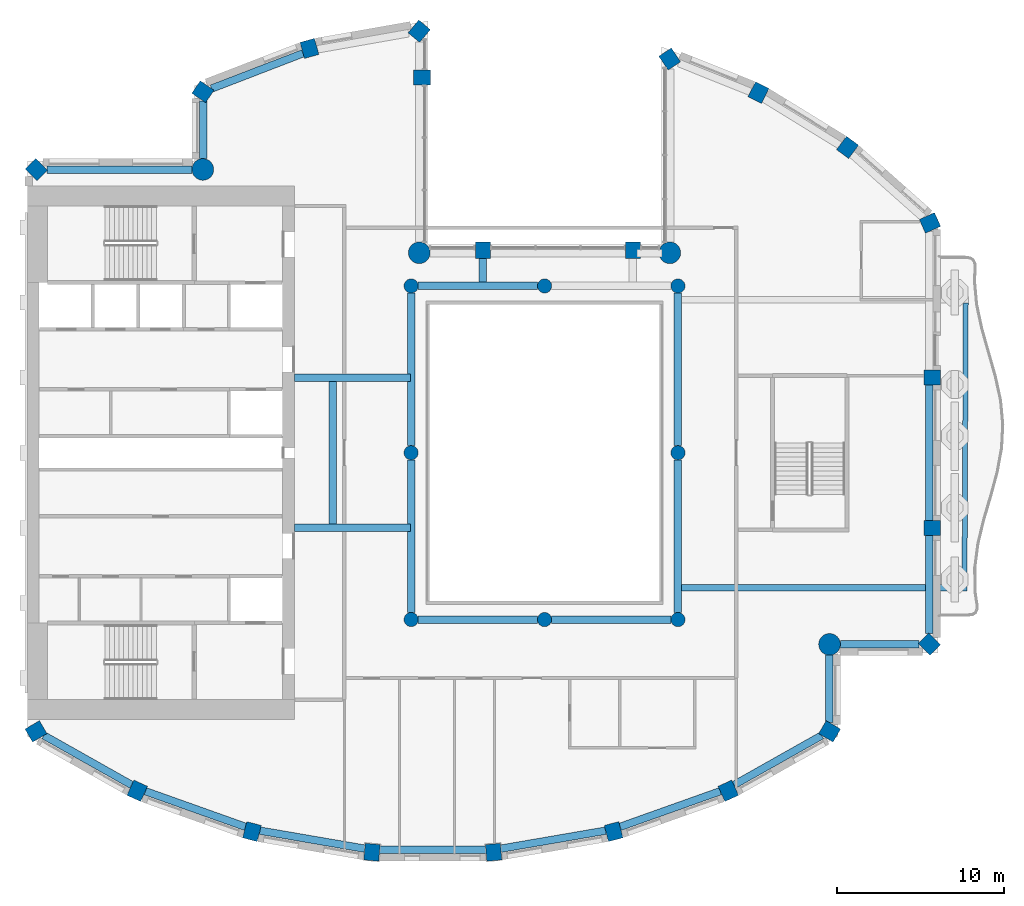
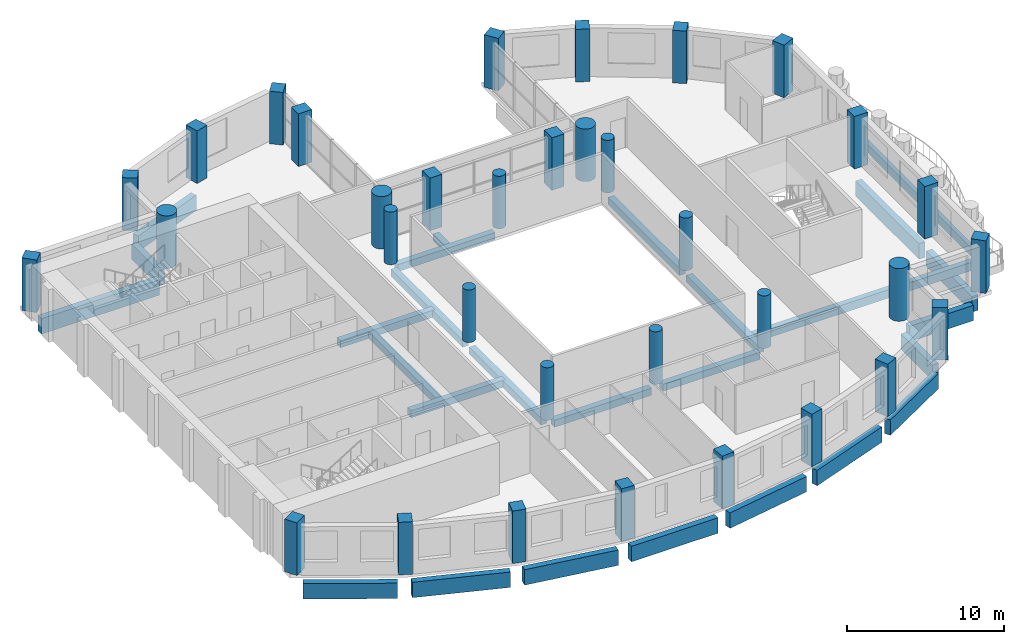
# One storey, part 1 of 14: 34 columns, 27 beams.
"""IFC4 building model written with IfcOpenShell, lengths in metres."""

from ifc_helpers import new_model, si_unit, direction, frame, origin, origin_2d, place, context, subcontext, project, spatial, rectangle, circle, extrude, material, material_profile, profile_set, type_object, element, save


model = new_model("IFC4")

# Units and contexts
model_context = context("Model", 3, precision=1e-05, world=origin(), true_north=direction((0.0, 1.0)))
body_context = subcontext(model_context, "Body", "Model", "MODEL_VIEW")
ifc_project = project(units=[si_unit("LENGTHUNIT", "METRE"), si_unit("AREAUNIT", "SQUARE_METRE"), si_unit("VOLUMEUNIT", "CUBIC_METRE"), si_unit("PLANEANGLEUNIT", "RADIAN"), si_unit("MASSUNIT", "GRAM", prefix="KILO")], contexts=[model_context])

# Site, building, storey
site_placement = place(None, origin())
site = spatial("IfcSite", under=ifc_project, at=site_placement, CompositionType="ELEMENT")
building_placement = place(site_placement, origin())
building = spatial("IfcBuilding", under=site, at=building_placement, Name="Cypress Arch Tower", CompositionType="ELEMENT")
storey_placement = place(building_placement, frame((0.0, 0.0, 255.699951171875)))
storey = spatial("IfcBuildingStorey", under=building, at=storey_placement, Name="L57", CompositionType="ELEMENT", Elevation=255.699951171875)

# Columns
ifc_material_1 = material(Name="Concrete C60/75", Category="concrete")
ifc_material_profile_1 = material_profile(ifc_material_1, rectangle(XDim=0.89990234375, YDim=1.0, at=origin_2d()), Name="RC 900x1000")
ifc_profile_set_1 = profile_set([ifc_material_profile_1], Name="Concrete C60/75")
column_type_1 = type_object("IfcColumnType", Name="Column RC 900x1000 Concrete C60/75", PredefinedType="COLUMN", material=ifc_profile_set_1)
for number, where, z_axis, x_axis, name in (
    (1, (8.5029296875, 23.606201171875, 0.0), (0.0, 0.0, 1.0), (-0.828469606019, -0.560034027451, 0.0), "Column L57 CC00"),
    (2, (6.300048828125, 12.14990234375, 0.0), (0.0, 0.0, 1.0), (-1.0, 0.0, 0.0), "Column L57 CC02"),
    (3, (-2.699951171875, 12.14990234375, 0.0), (0.0, 0.0, 1.0), (-1.0, 0.0, 0.0), "Column L57 CC03"),
    (4, (-6.35009765625, 22.5, 0.0), (0.0, 0.0, 1.0), (0.0, 1.0, 0.0), "Column L57 CC05"),
    (5, (-6.51611328125, 25.27490234375, 0.0), (0.0, 0.0, 1.0), (-0.766063514674, 0.642764880407, 0.0), "Column L57 CC06"),
    (6, (-13.0947265625, 24.241455078125, 0.0), (0.0, 0.0, 1.0), (-0.96345574646, -0.267867550506, 0.0), "Column L57 CC07"),
    (7, (-19.483154296875, 21.645263671875, 0.0), (0.0, 0.0, 1.0), (-0.565892599589, -0.824478966215, 0.0), "Column L57 CC08"),
    (8, (-29.478271484375, 16.978271484375, 0.0), (0.0, 0.0, 1.0), (-0.707106781187, -0.707106781187, 0.0), "Column L57 CC10"),
    (9, (-29.4912109375, -16.702880859375, 0.0), (0.0, 0.0, 1.0), (0.504399289829, -0.86347053014, 0.0), "Column L57 CC11"),
    (10, (-23.4189453125, -20.266845703125, 0.0), (0.0, 0.0, 1.0), (0.909932071487, -0.414757308891, 0.0), "Column L57 CC12"),
    (11, (-16.541748046875, -22.714599609375, 0.0), (0.0, 0.0, 1.0), (0.96735573689, -0.2534223319, 0.0), "Column L57 CC13"),
    (12, (-9.346923828125, -23.95361328125, 0.0), (0.0, 0.0, 1.0), (0.996368206733, -0.085149260784, 0.0), "Column L57 CC14"),
    (13, (-2.052978515625, -23.95361328125, 0.0), (0.0, 0.0, 1.0), (0.996368206733, 0.085149260784, 0.0), "Column L57 CC15"),
    (14, (5.1416015625, -22.714599609375, 0.0), (0.0, 0.0, 1.0), (0.96735573689, 0.2534223319, 0.0), "Column L57 CC16"),
    (15, (12.01904296875, -20.266845703125, 0.0), (0.0, 0.0, 1.0), (0.909932071487, 0.414757308891, 0.0), "Column L57 CC17"),
    (16, (18.09130859375, -16.702880859375, 0.0), (0.0, 0.0, 1.0), (0.504399289829, 0.86347053014, 0.0), "Column L57 CC18"),
    (17, (24.078369140625, -11.478271484375, 0.0), (0.0, 0.0, 1.0), (0.707106781187, 0.707106781187, 0.0), "Column L57 CC20"),
    (18, (24.25, -4.5, 0.0), (0.0, 0.0, 1.0), (0.0, 1.0, 0.0), "Column L57 CC21"),
    (19, (24.25, 4.5, 0.0), (0.0, 0.0, 1.0), (0.0, 1.0, 0.0), "Column L57 CC22"),
    (20, (24.109619140625, 13.77978515625, 0.0), (0.0, 0.0, 1.0), (-0.409765058504, 0.912191096662, 0.0), "Column L57 CC23"),
    (21, (19.168212890625, 18.307861328125, 0.0), (0.0, 0.0, 1.0), (-0.802798546114, 0.596250362144, 0.0), "Column L57 CC24"),
    (22, (13.82568359375, 21.59375, 0.0), (0.0, 0.0, 1.0), (-0.893106499805, 0.44984528452, 0.0), "Column L57 CC25"),
):
    element("IfcColumn", number, at=place(storey_placement, frame(where, z_axis=z_axis, x_axis=x_axis)), inside=storey, type_object=column_type_1, Name=name, PredefinedType="COLUMN", context=body_context, shape_type="SweptSolid", body=[
        extrude(rectangle(XDim=0.89990234375, YDim=1.0, at=origin_2d()), origin(), (0.0, 0.0, 1.0), 4.10009765625),
    ])
ifc_material_2 = material(Name="Concrete C60/75", Category="concrete")
ifc_material_profile_2 = material_profile(ifc_material_2, circle(Radius=0.425048828125, at=origin_2d()), Name="RC D850")
ifc_profile_set_2 = profile_set([ifc_material_profile_2], Name="Concrete C60/75")
column_type_2 = type_object("IfcColumnType", Name="Column RC D850 Concrete C60/75", PredefinedType="COLUMN", material=ifc_profile_set_2)
for number, where, z_axis, x_axis, name in (
    (23, (-7.0, -10.0, 0.0), (0.0, 0.0, 1.0), (1.0, 0.0, 0.0), "Column L57 RNG-L57-G-7-10"),
    (24, (-7.0, 0.0, 0.0), (0.0, 0.0, 1.0), (1.0, 0.0, 0.0), "Column L57 RNG-L57-G-7+0"),
    (25, (-7.0, 10.0, 0.0), (0.0, 0.0, 1.0), (1.0, 0.0, 0.0), "Column L57 RNG-L57-G-7+10"),
    (26, (1.0, -10.0, 0.0), (0.0, 0.0, 1.0), (1.0, 0.0, 0.0), "Column L57 RNG-L57-G+1-10"),
    (27, (1.0, 10.0, 0.0), (0.0, 0.0, 1.0), (1.0, 0.0, 0.0), "Column L57 RNG-L57-G+1+10"),
    (28, (9.0, -10.0, 0.0), (0.0, 0.0, 1.0), (1.0, 0.0, 0.0), "Column L57 RNG-L57-G+9-10"),
    (29, (9.0, 0.0, 0.0), (0.0, 0.0, 1.0), (1.0, 0.0, 0.0), "Column L57 RNG-L57-G+9+0"),
    (30, (9.0, 10.0, 0.0), (0.0, 0.0, 1.0), (1.0, 0.0, 0.0), "Column L57 RNG-L57-G+9+10"),
):
    element("IfcColumn", number, at=place(storey_placement, frame(where, z_axis=z_axis, x_axis=x_axis)), inside=storey, type_object=column_type_2, Name=name, PredefinedType="COLUMN", context=body_context, shape_type="SweptSolid", body=[
        extrude(circle(Radius=0.425048828125, at=origin_2d()), origin(), (0.0, 0.0, 1.0), 4.10009765625),
    ])
ifc_material_3 = material(Name="Concrete C60/75", Category="concrete")
ifc_material_profile_3 = material_profile(ifc_material_3, circle(Radius=0.64990234375, at=origin_2d()), Name="RC D1300")
ifc_profile_set_3 = profile_set([ifc_material_profile_3], Name="Concrete C60/75")
column_type_3 = type_object("IfcColumnType", Name="Mega-column RC D1300 Concrete C60/75", PredefinedType="COLUMN", material=ifc_profile_set_3)
for number, where, z_axis, x_axis, name in (
    (31, (8.51220703125, 11.98779296875, 0.0), (0.0, 0.0, 1.0), (1.0, 0.0, 0.0), "Column L57 CC01"),
    (32, (-6.51220703125, 11.98779296875, 0.0), (0.0, 0.0, 1.0), (1.0, 0.0, 0.0), "Column L57 CC04"),
    (33, (-19.48779296875, 16.98779296875, 0.0), (0.0, 0.0, 1.0), (1.0, 0.0, 0.0), "Column L57 CC09"),
    (34, (18.087890625, -11.48779296875, 0.0), (0.0, 0.0, 1.0), (1.0, 0.0, 0.0), "Column L57 CC19"),
):
    element("IfcColumn", number, at=place(storey_placement, frame(where, z_axis=z_axis, x_axis=x_axis)), inside=storey, type_object=column_type_3, Name=name, PredefinedType="COLUMN", context=body_context, shape_type="SweptSolid", body=[
        extrude(circle(Radius=0.64990234375, at=origin_2d()), origin(), (0.0, 0.0, 1.0), 4.10009765625),
    ])

# Beams
ifc_material_4 = material(Name="Concrete C50/60", Category="concrete")
ifc_material_profile_4 = material_profile(ifc_material_4, rectangle(XDim=0.300048828125, YDim=0.64990234375, at=origin_2d()), Name="RC 300x650")
ifc_profile_set_4 = profile_set([ifc_material_profile_4], Name="Concrete C50/60")
beam_type_1 = type_object("IfcBeamType", Name="Balcony edge beam RC 300x650 Concrete C50/60", PredefinedType="BEAM", material=ifc_profile_set_4)
beam_1_placement = place(storey_placement, frame((26.18212890625, -7.89990234375, -0.625), z_axis=(0.004294909122, 0.999990776835, 0.0), x_axis=(-0.999990776835, 0.004294909122, 0.0)))
element("IfcBeam", 35, at=beam_1_placement, inside=storey, type_object=beam_type_1, Name="Balcony edge beam L57 C17", PredefinedType="BEAM", context=body_context, shape_type="SweptSolid", body=[
    extrude(rectangle(XDim=0.300048828125, YDim=0.64990234375, at=origin_2d()), origin(), (0.0, 0.0, 1.0), 16.8828125),
])
ifc_material_5 = material(Name="Concrete C50/60", Category="concrete")
ifc_material_profile_5 = material_profile(ifc_material_5, rectangle(XDim=0.39990234375, YDim=0.64990234375, at=origin_2d()), Name="RC 400x650")
ifc_profile_set_5 = profile_set([ifc_material_profile_5], Name="Concrete C50/60")
beam_type_2 = type_object("IfcBeamType", Name="Cantilever beam RC 400x650 Concrete C50/60", PredefinedType="BEAM", material=ifc_profile_set_5)
beam_2_placement = place(storey_placement, frame((9.22509765625, -8.10009765625, -0.625), z_axis=(1.0, 0.0, 0.0), x_axis=(0.0, 1.0, 0.0)))
element("IfcBeam", 36, at=beam_2_placement, inside=storey, type_object=beam_type_2, Name="Cantilever beam L57 C17 1", PredefinedType="BEAM", context=body_context, shape_type="SweptSolid", body=[
    extrude(rectangle(XDim=0.39990234375, YDim=0.64990234375, at=origin_2d()), origin(), (0.0, 0.0, 1.0), 17.10693359375),
])
ifc_material_6 = material(Name="Concrete C50/60", Category="concrete")
ifc_material_profile_6 = material_profile(ifc_material_6, rectangle(XDim=0.449951171875, YDim=0.550048828125, at=origin_2d()), Name="RC 450x550")
ifc_profile_set_6 = profile_set([ifc_material_profile_6], Name="Concrete C50/60")
beam_type_3 = type_object("IfcBeamType", Name="Floor beam RC 450x550 Concrete C50/60", PredefinedType="BEAM", material=ifc_profile_set_6)
for number, where, z_axis, x_axis, name in (
    (37, (-7.0, -9.574951171875, -0.574951171875), (0.0, 1.0, 0.0), (-1.0, 0.0, 0.0), "Floor beam L57 RB001"),
    (38, (-7.0, 0.425048828125, -0.574951171875), (0.0, 1.0, 0.0), (-1.0, 0.0, 0.0), "Floor beam L57 RB002"),
    (39, (9.0, -9.574951171875, -0.574951171875), (0.0, 1.0, 0.0), (-1.0, 0.0, 0.0), "Floor beam L57 RB003"),
    (40, (9.0, 0.425048828125, -0.574951171875), (0.0, 1.0, 0.0), (-1.0, 0.0, 0.0), "Floor beam L57 RB004"),
):
    element("IfcBeam", number, at=place(storey_placement, frame(where, z_axis=z_axis, x_axis=x_axis)), inside=storey, type_object=beam_type_3, Name=name, PredefinedType="BEAM", context=body_context, shape_type="SweptSolid", body=[
        extrude(rectangle(XDim=0.449951171875, YDim=0.550048828125, at=origin_2d()), origin(), (0.0, 0.0, 1.0), 9.14990234375),
    ])
for number, where, z_axis, x_axis, name in (
    (41, (-6.574951171875, -10.0, -0.574951171875), (1.0, 0.0, 0.0), (0.0, 1.0, 0.0), "Floor beam L57 RB005"),
    (42, (1.425048828125, -10.0, -0.574951171875), (1.0, 0.0, 0.0), (0.0, 1.0, 0.0), "Floor beam L57 RB006"),
    (43, (-6.574951171875, 10.0, -0.574951171875), (1.0, 0.0, 0.0), (0.0, 1.0, 0.0), "Floor beam L57 RB007"),
):
    element("IfcBeam", number, at=place(storey_placement, frame(where, z_axis=z_axis, x_axis=x_axis)), inside=storey, type_object=beam_type_3, Name=name, PredefinedType="BEAM", context=body_context, shape_type="SweptSolid", body=[
        extrude(rectangle(XDim=0.449951171875, YDim=0.550048828125, at=origin_2d()), origin(), (0.0, 0.0, 1.0), 7.14990234375),
    ])
for number, where, z_axis, x_axis, name in (
    (44, (-14.0, -4.5, -0.574951171875), (1.0, 0.0, 0.0), (0.0, 1.0, 0.0), "Floor beam L57 FB009"),
    (45, (-14.0, 4.5, -0.574951171875), (1.0, 0.0, 0.0), (0.0, 1.0, 0.0), "Floor beam L57 FB010"),
):
    element("IfcBeam", number, at=place(storey_placement, frame(where, z_axis=z_axis, x_axis=x_axis)), inside=storey, type_object=beam_type_3, Name=name, PredefinedType="BEAM", context=body_context, shape_type="SweptSolid", body=[
        extrude(rectangle(XDim=0.449951171875, YDim=0.550048828125, at=origin_2d()), origin(), (0.0, 0.0, 1.0), 6.949951171875),
    ])
beam_3_placement = place(storey_placement, frame((-11.699951171875, -4.27490234375, -0.574951171875), z_axis=(0.0, 1.0, 0.0), x_axis=(-1.0, 0.0, 0.0)))
element("IfcBeam", 46, at=beam_3_placement, inside=storey, type_object=beam_type_3, Name="Floor beam L57 FB011", PredefinedType="BEAM", context=body_context, shape_type="SweptSolid", body=[
    extrude(rectangle(XDim=0.449951171875, YDim=0.550048828125, at=origin_2d()), origin(), (0.0, 0.0, 1.0), 8.5498046875),
])
beam_4_placement = place(storey_placement, frame((-2.699951171875, 10.22509765625, -0.574951171875), z_axis=(0.0, 1.0, 0.0), x_axis=(-1.0, 0.0, 0.0)))
element("IfcBeam", 47, at=beam_4_placement, inside=storey, type_object=beam_type_3, Name="Floor beam L57 FB012", PredefinedType="BEAM", context=body_context, shape_type="SweptSolid", body=[
    extrude(rectangle(XDim=0.449951171875, YDim=0.550048828125, at=origin_2d()), origin(), (0.0, 0.0, 1.0), 1.4248046875),
])
ifc_material_7 = material(Name="Concrete C50/60", Category="concrete")
ifc_material_profile_7 = material_profile(ifc_material_7, rectangle(XDim=0.449951171875, YDim=1.199951171875, at=origin_2d()), Name="RC 450x1200")
ifc_profile_set_7 = profile_set([ifc_material_profile_7], Name="Concrete C50/60")
beam_type_4 = type_object("IfcBeamType", Name="Spandrel beam RC 450x1200 Concrete C50/60", PredefinedType="SPANDREL", material=ifc_profile_set_7)
beam_5_placement = place(storey_placement, frame((-13.48046875, 23.94921875, -1.550048828125), z_axis=(-0.933138853319, -0.359516175472, 0.0), x_axis=(0.359516175472, -0.933138853319, 0.0)))
element("IfcBeam", 48, at=beam_5_placement, inside=storey, type_object=beam_type_4, Name="Spandrel beam L57 BC04-0", PredefinedType="SPANDREL", context=body_context, shape_type="SweptSolid", body=[
    extrude(rectangle(XDim=0.449951171875, YDim=1.199951171875, at=origin_2d()), origin(), (0.0, 0.0, 1.0), 5.878173828125),
])
beam_6_placement = place(storey_placement, frame((-19.47509765625, 21.09375, -1.550048828125), z_axis=(0.0, -1.0, 0.0), x_axis=(1.0, 0.0, 0.0)))
element("IfcBeam", 49, at=beam_6_placement, inside=storey, type_object=beam_type_4, Name="Spandrel beam L57 BC05-0", PredefinedType="SPANDREL", context=body_context, shape_type="SweptSolid", body=[
    extrude(rectangle(XDim=0.449951171875, YDim=1.199951171875, at=origin_2d()), origin(), (0.0, 0.0, 1.0), 3.456298828125),
])
beam_7_placement = place(storey_placement, frame((-20.137451171875, 16.97509765625, -1.550048828125), z_axis=(-1.0, 0.0, 0.0), x_axis=(0.0, -1.0, 0.0)))
element("IfcBeam", 50, at=beam_7_placement, inside=storey, type_object=beam_type_4, Name="Spandrel beam L57 BC06-0", PredefinedType="SPANDREL", context=body_context, shape_type="SweptSolid", body=[
    extrude(rectangle(XDim=0.449951171875, YDim=1.199951171875, at=origin_2d()), origin(), (0.0, 0.0, 1.0), 8.701171875),
])
beam_8_placement = place(storey_placement, frame((-29.02099609375, -16.94921875, -1.550048828125), z_axis=(0.871059543975, -0.491177433165, 0.0), x_axis=(0.491177433165, 0.871059543975, 0.0)))
element("IfcBeam", 51, at=beam_8_placement, inside=storey, type_object=beam_type_4, Name="Spandrel beam L57 BC08-0", PredefinedType="SPANDREL", context=body_context, shape_type="SweptSolid", body=[
    extrude(rectangle(XDim=0.449951171875, YDim=1.199951171875, at=origin_2d()), origin(), (0.0, 0.0, 1.0), 6.045654296875),
])
beam_9_placement = place(storey_placement, frame((-22.93603515625, -20.2919921875, -1.550048828125), z_axis=(0.942120065582, -0.33527568064, 0.0), x_axis=(0.33527568064, 0.942120065582, 0.0)))
element("IfcBeam", 52, at=beam_9_placement, inside=storey, type_object=beam_type_4, Name="Spandrel beam L57 BC09-0", PredefinedType="SPANDREL", context=body_context, shape_type="SweptSolid", body=[
    extrude(rectangle(XDim=0.449951171875, YDim=1.199951171875, at=origin_2d()), origin(), (0.0, 0.0, 1.0), 6.373046875),
])
beam_10_placement = place(storey_placement, frame((-16.061279296875, -22.656982421875, -1.550048828125), z_axis=(0.985502990778, -0.169658053646, 0.0), x_axis=(0.169658053646, 0.985502990778, 0.0)))
element("IfcBeam", 53, at=beam_10_placement, inside=storey, type_object=beam_type_4, Name="Spandrel beam L57 BC10-0", PredefinedType="SPANDREL", context=body_context, shape_type="SweptSolid", body=[
    extrude(rectangle(XDim=0.449951171875, YDim=1.199951171875, at=origin_2d()), origin(), (0.0, 0.0, 1.0), 6.373291015625),
])
beam_11_placement = place(storey_placement, frame((-8.883544921875, -23.81494140625, -1.550048828125), z_axis=(1.0, 0.0, 0.0), x_axis=(0.0, 1.0, 0.0)))
element("IfcBeam", 54, at=beam_11_placement, inside=storey, type_object=beam_type_4, Name="Spandrel beam L57 BC11-0", PredefinedType="SPANDREL", context=body_context, shape_type="SweptSolid", body=[
    extrude(rectangle(XDim=0.449951171875, YDim=1.199951171875, at=origin_2d()), origin(), (0.0, 0.0, 1.0), 6.366943359375),
])
beam_12_placement = place(storey_placement, frame((-1.619873046875, -23.73828125, -1.550048828125), z_axis=(0.985504093315, 0.169651649149, 0.0), x_axis=(-0.169651649149, 0.985504093315, 0.0)))
element("IfcBeam", 55, at=beam_12_placement, inside=storey, type_object=beam_type_4, Name="Spandrel beam L57 BC12-0", PredefinedType="SPANDREL", context=body_context, shape_type="SweptSolid", body=[
    extrude(rectangle(XDim=0.449951171875, YDim=1.199951171875, at=origin_2d()), origin(), (0.0, 0.0, 1.0), 6.37353515625),
])
beam_13_placement = place(storey_placement, frame((5.531982421875, -22.4287109375, -1.550048828125), z_axis=(0.942115759102, 0.335287781541, 0.0), x_axis=(-0.335287781541, 0.942115759102, 0.0)))
element("IfcBeam", 56, at=beam_13_placement, inside=storey, type_object=beam_type_4, Name="Spandrel beam L57 BC13-0", PredefinedType="SPANDREL", context=body_context, shape_type="SweptSolid", body=[
    extrude(rectangle(XDim=0.449951171875, YDim=1.199951171875, at=origin_2d()), origin(), (0.0, 0.0, 1.0), 6.372802734375),
])
beam_14_placement = place(storey_placement, frame((12.35498046875, -19.918701171875, -1.550048828125), z_axis=(0.871059543975, 0.491177433165, 0.0), x_axis=(-0.491177433165, 0.871059543975, 0.0)))
element("IfcBeam", 57, at=beam_14_placement, inside=storey, type_object=beam_type_4, Name="Spandrel beam L57 BC14-0", PredefinedType="SPANDREL", context=body_context, shape_type="SweptSolid", body=[
    extrude(rectangle(XDim=0.449951171875, YDim=1.199951171875, at=origin_2d()), origin(), (0.0, 0.0, 1.0), 6.045654296875),
])
beam_15_placement = place(storey_placement, frame((18.074951171875, -16.172119140625, -1.550048828125), z_axis=(0.0, 1.0, 0.0), x_axis=(-1.0, 0.0, 0.0)))
element("IfcBeam", 58, at=beam_15_placement, inside=storey, type_object=beam_type_4, Name="Spandrel beam L57 BC15-0", PredefinedType="SPANDREL", context=body_context, shape_type="SweptSolid", body=[
    extrude(rectangle(XDim=0.449951171875, YDim=1.199951171875, at=origin_2d()), origin(), (0.0, 0.0, 1.0), 4.03466796875),
])
beam_16_placement = place(storey_placement, frame((18.737548828125, -11.47509765625, -1.550048828125), z_axis=(1.0, 0.0, 0.0), x_axis=(0.0, 1.0, 0.0)))
element("IfcBeam", 59, at=beam_16_placement, inside=storey, type_object=beam_type_4, Name="Spandrel beam L57 BC16-0", PredefinedType="SPANDREL", context=body_context, shape_type="SweptSolid", body=[
    extrude(rectangle(XDim=0.449951171875, YDim=1.199951171875, at=origin_2d()), origin(), (0.0, 0.0, 1.0), 4.701171875),
])
beam_17_placement = place(storey_placement, frame((24.074951171875, -10.838623046875, -1.550048828125), z_axis=(0.0, 1.0, 0.0), x_axis=(-1.0, 0.0, 0.0)))
element("IfcBeam", 60, at=beam_17_placement, inside=storey, type_object=beam_type_4, Name="Spandrel beam L57 BC17-0", PredefinedType="SPANDREL", context=body_context, shape_type="SweptSolid", body=[
    extrude(rectangle(XDim=0.449951171875, YDim=1.199951171875, at=origin_2d()), origin(), (0.0, 0.0, 1.0), 5.888671875),
])
beam_18_placement = place(storey_placement, frame((24.074951171875, -4.050048828125, -1.550048828125), z_axis=(0.0, 1.0, 0.0), x_axis=(-1.0, 0.0, 0.0)))
element("IfcBeam", 61, at=beam_18_placement, inside=storey, type_object=beam_type_4, Name="Spandrel beam L57 BC17-1", PredefinedType="SPANDREL", context=body_context, shape_type="SweptSolid", body=[
    extrude(rectangle(XDim=0.449951171875, YDim=1.199951171875, at=origin_2d()), origin(), (0.0, 0.0, 1.0), 8.10009765625),
])

save(model, "model.ifc")
